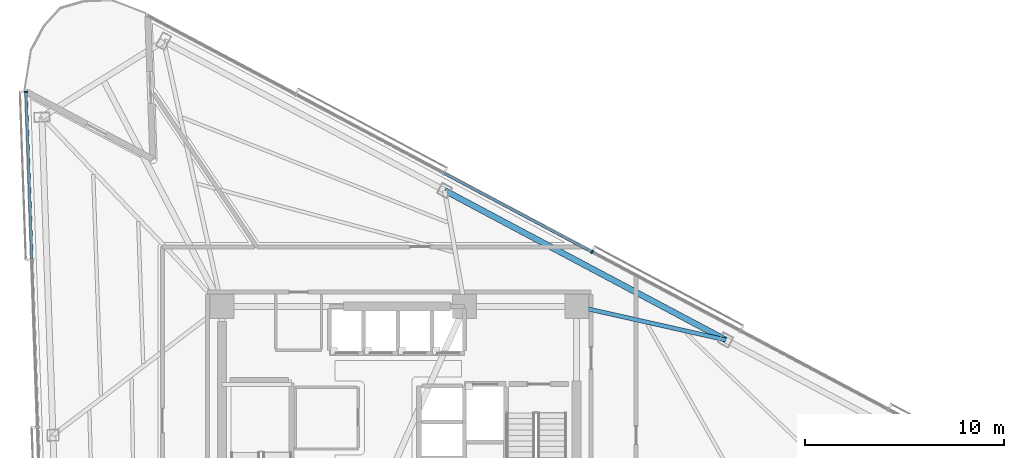
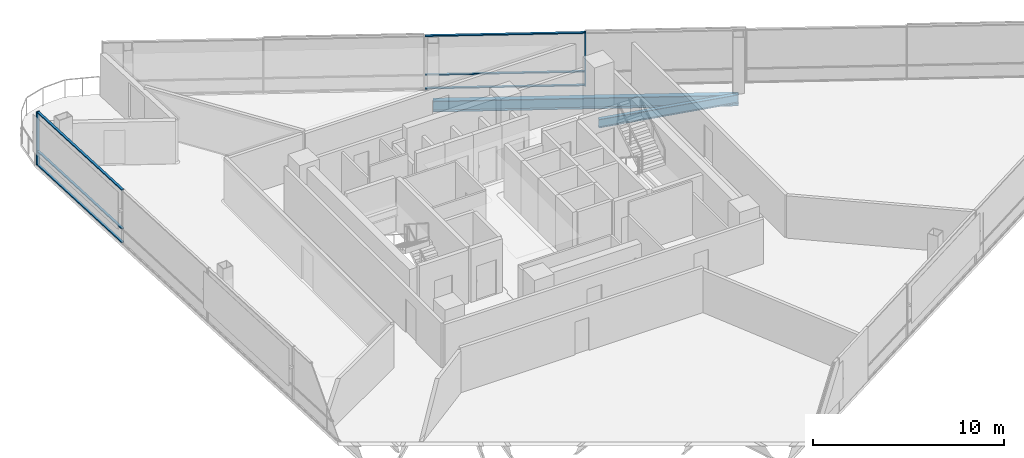
# One storey, part 8 of 18: 8 members, 2 beams, 2 elements without a shape of their own.
"""IFC4 building model written with IfcOpenShell, lengths in metres."""

from ifc_helpers import new_model, si_unit, direction, frame, origin, origin_2d, place, context, subcontext, project, spatial, rectangle, i_section, extrude, material, layer, layer_set, material_profile, profile_set, type_object, element, aggregate, save


model = new_model("IFC4")

# Units and contexts
model_context = context("Model", 3, precision=1e-05, world=origin(), true_north=direction((0.0, 1.0)))
body_context = subcontext(model_context, "Body", "Model", "MODEL_VIEW")
ifc_project = project(units=[si_unit("LENGTHUNIT", "METRE"), si_unit("AREAUNIT", "SQUARE_METRE"), si_unit("VOLUMEUNIT", "CUBIC_METRE"), si_unit("PLANEANGLEUNIT", "RADIAN"), si_unit("MASSUNIT", "GRAM", prefix="KILO")], contexts=[model_context])

# Site, building, storey
site_placement = place(None, origin())
site = spatial("IfcSite", under=ifc_project, at=site_placement, CompositionType="ELEMENT")
building_placement = place(site_placement, origin())
building = spatial("IfcBuilding", under=site, at=building_placement, Name="Tharavind Bronze Gate", CompositionType="ELEMENT")
storey_placement = place(building_placement, frame((0.0, 0.0, 153.199951171875)))
storey = spatial("IfcBuildingStorey", under=building, at=storey_placement, Name="L39", CompositionType="ELEMENT", Elevation=153.199951171875)

# Curtain wall, member
ifc_material_1 = material(Name="Anodised Bronze Aluminium", Category="aluminium")
ifc_layer = layer(ifc_material_1, 0.219970703125)
ifc_layer_set = layer_set([ifc_layer], Name="Anodised Bronze Aluminium")
curtain_wall_type = type_object("IfcCurtainWallType", Name="UNITISED CURTAIN WALL MID OFFICE", PredefinedType="USERDEFINED", material=ifc_layer_set)
curtain_wall_1_placement = place(storey_placement, origin())
curtain_wall_1 = element("IfcCurtainWall", 1, at=curtain_wall_1_placement, inside=storey, type_object=curtain_wall_type, Name="L39 unitised curtain wall mid office CW-L39-S1", ObjectType="UNITISED CURTAIN WALL", PredefinedType="USERDEFINED")
member_type_1 = type_object("IfcMemberType", Name="CURTAIN WALL BRONZE MULLION 65X180", PredefinedType="MULLION", material=ifc_material_1)
member_1_placement = place(storey_placement, frame((-18.7197265625, 18.364501953125, 0.0), z_axis=(0.0, 0.0, 1.0), x_axis=(0.034899496703, -0.999390827019, 0.0)))
member_1 = element("IfcMember", 2, at=member_1_placement, type_object=member_type_1, Name="CW-L39-S1 mullion 1", PredefinedType="MULLION", context=body_context, shape_type="SweptSolid", body=[
    extrude(rectangle(XDim=0.06494140625, YDim=0.179931640625, at=origin_2d()), origin(), (0.0, 0.0, 1.0), 3.409912109375),
])

curtain_wall_2_placement = place(storey_placement, origin())
curtain_wall_2 = element("IfcCurtainWall", 3, at=curtain_wall_2_placement, inside=storey, type_object=curtain_wall_type, Name="L39 unitised curtain wall mid office CW-L39-S3", ObjectType="UNITISED CURTAIN WALL", PredefinedType="USERDEFINED")
member_2_placement = place(storey_placement, frame((9.6748046875, 10.32861328125, 0.0), z_axis=(0.0, 0.0, 1.0), x_axis=(-0.882947592859, 0.469471562786, 0.0)))
member_2 = element("IfcMember", 4, at=member_2_placement, type_object=member_type_1, Name="CW-L39-S3 mullion 4", PredefinedType="MULLION", context=body_context, shape_type="SweptSolid", body=[
    extrude(rectangle(XDim=0.06494140625, YDim=0.179931640625, at=origin_2d()), origin(), (0.0, 0.0, 1.0), 3.409912109375),
])

# Member
member_type_2 = type_object("IfcMemberType", Name="CURTAIN WALL BRONZE TRANSOM 65X140", PredefinedType="USERDEFINED", material=ifc_material_1)
member_3_placement = place(storey_placement, frame((-18.572998046875, 14.159912109375, 0.0), z_axis=(0.0, 0.0, 1.0), x_axis=(0.034899496703, -0.999390827019, 0.0)))
member_3 = element("IfcMember", 5, at=member_3_placement, type_object=member_type_2, Name="CW-L39-S1 transom TB1", ObjectType="TRANSOM", PredefinedType="USERDEFINED", context=body_context, shape_type="SweptSolid", body=[
    extrude(rectangle(XDim=8.361572265625, YDim=0.139892578125, at=origin_2d()), origin(), (0.0, 0.0, 1.0), 0.06494140625),
])

member_4_placement = place(storey_placement, frame((-18.572998046875, 14.159912109375, 0.86767578125), z_axis=(0.0, 0.0, 1.0), x_axis=(0.034899496703, -0.999390827019, 0.0)))
member_4 = element("IfcMember", 6, at=member_4_placement, type_object=member_type_2, Name="CW-L39-S1 transom TS1", ObjectType="TRANSOM", PredefinedType="USERDEFINED", context=body_context, shape_type="SweptSolid", body=[
    extrude(rectangle(XDim=8.361572265625, YDim=0.139892578125, at=origin_2d()), origin(), (0.0, 0.0, 1.0), 0.06494140625),
])

member_5_placement = place(storey_placement, frame((-18.572998046875, 14.159912109375, 3.344970703125), z_axis=(0.0, 0.0, 1.0), x_axis=(0.034899496703, -0.999390827019, 0.0)))
member_5 = element("IfcMember", 7, at=member_5_placement, type_object=member_type_2, Name="CW-L39-S1 transom TT1", ObjectType="TRANSOM", PredefinedType="USERDEFINED", context=body_context, shape_type="SweptSolid", body=[
    extrude(rectangle(XDim=8.361572265625, YDim=0.139892578125, at=origin_2d()), origin(), (0.0, 0.0, 1.0), 0.06494140625),
])

aggregate(curtain_wall_1, [member_1, member_3, member_4, member_5])

member_6_placement = place(storey_placement, frame((5.960205078125, 12.303955078125, 0.0), z_axis=(0.0, 0.0, 1.0), x_axis=(-0.882947592859, 0.469471562786, 0.0)))
member_6 = element("IfcMember", 8, at=member_6_placement, type_object=member_type_2, Name="CW-L39-S3 transom TB4", ObjectType="TRANSOM", PredefinedType="USERDEFINED", context=body_context, shape_type="SweptSolid", body=[
    extrude(rectangle(XDim=8.361572265625, YDim=0.139892578125, at=origin_2d()), origin(), (0.0, 0.0, 1.0), 0.06494140625),
])

member_7_placement = place(storey_placement, frame((5.960205078125, 12.303955078125, 0.86767578125), z_axis=(0.0, 0.0, 1.0), x_axis=(-0.882947592859, 0.469471562786, 0.0)))
member_7 = element("IfcMember", 9, at=member_7_placement, type_object=member_type_2, Name="CW-L39-S3 transom TS4", ObjectType="TRANSOM", PredefinedType="USERDEFINED", context=body_context, shape_type="SweptSolid", body=[
    extrude(rectangle(XDim=8.361572265625, YDim=0.139892578125, at=origin_2d()), origin(), (0.0, 0.0, 1.0), 0.06494140625),
])

member_8_placement = place(storey_placement, frame((5.960205078125, 12.303955078125, 3.344970703125), z_axis=(0.0, 0.0, 1.0), x_axis=(-0.882947592859, 0.469471562786, 0.0)))
member_8 = element("IfcMember", 10, at=member_8_placement, type_object=member_type_2, Name="CW-L39-S3 transom TT4", ObjectType="TRANSOM", PredefinedType="USERDEFINED", context=body_context, shape_type="SweptSolid", body=[
    extrude(rectangle(XDim=8.361572265625, YDim=0.139892578125, at=origin_2d()), origin(), (0.0, 0.0, 1.0), 0.06494140625),
])

aggregate(curtain_wall_2, [member_2, member_6, member_7, member_8])

# Beams
ifc_material_2 = material(Name="Steel S355", Category="steel")
ifc_material_profile_1 = material_profile(ifc_material_2, i_section(OverallWidth=0.2099609375, OverallDepth=0.550048828125, WebThickness=0.010986328125, FlangeThickness=0.01708984375, at=origin_2d()), Name="IPE550")
ifc_profile_set_1 = profile_set([ifc_material_profile_1], Name="Steel S355")
beam_type_1 = type_object("IfcBeamType", Name="PRIMARY GIRDER IPE550", PredefinedType="USERDEFINED", material=ifc_profile_set_1)
beam_1_placement = place(storey_placement, frame((16.3701171875, 5.91943359375, -0.46484375), z_axis=(-0.97561351158, 0.219495503422, 0.0), x_axis=(-0.219495503422, -0.97561351158, 0.0)))
element("IfcBeam", 11, at=beam_1_placement, inside=storey, type_object=beam_type_1, Name="L39 primary girder ipe550 BM-L39-RAD10", ObjectType="GIRDER", PredefinedType="USERDEFINED", context=body_context, shape_type="SweptSolid", body=[
    extrude(i_section(OverallWidth=0.2099609375, OverallDepth=0.550048828125, WebThickness=0.010986328125, FlangeThickness=0.01708984375, at=origin_2d()), origin(), (0.0, 0.0, 1.0), 7.656982421875),
])
ifc_material_profile_2 = material_profile(ifc_material_2, i_section(OverallWidth=0.300048828125, OverallDepth=0.699951171875, WebThickness=0.01708984375, FlangeThickness=0.031982421875, at=origin_2d()), Name="HE700B")
ifc_profile_set_2 = profile_set([ifc_material_profile_2], Name="Steel S355")
beam_type_2 = type_object("IfcBeamType", Name="RING GIRDER HE700B", PredefinedType="USERDEFINED", material=ifc_profile_set_2)
beam_2_placement = place(storey_placement, frame((16.3701171875, 5.91943359375, -0.5400390625), z_axis=(-0.882948335869, 0.469470165385, 0.0), x_axis=(-0.469470165385, -0.882948335869, 0.0)))
element("IfcBeam", 12, at=beam_2_placement, inside=storey, type_object=beam_type_2, Name="L39 ring girder he700b BM-L39-PRG10", ObjectType="GIRDER", PredefinedType="USERDEFINED", context=body_context, shape_type="SweptSolid", body=[
    extrude(i_section(OverallWidth=0.300048828125, OverallDepth=0.699951171875, WebThickness=0.01708984375, FlangeThickness=0.031982421875, at=origin_2d()), origin(), (0.0, 0.0, 1.0), 15.962890625),
])

save(model, "model.ifc")
